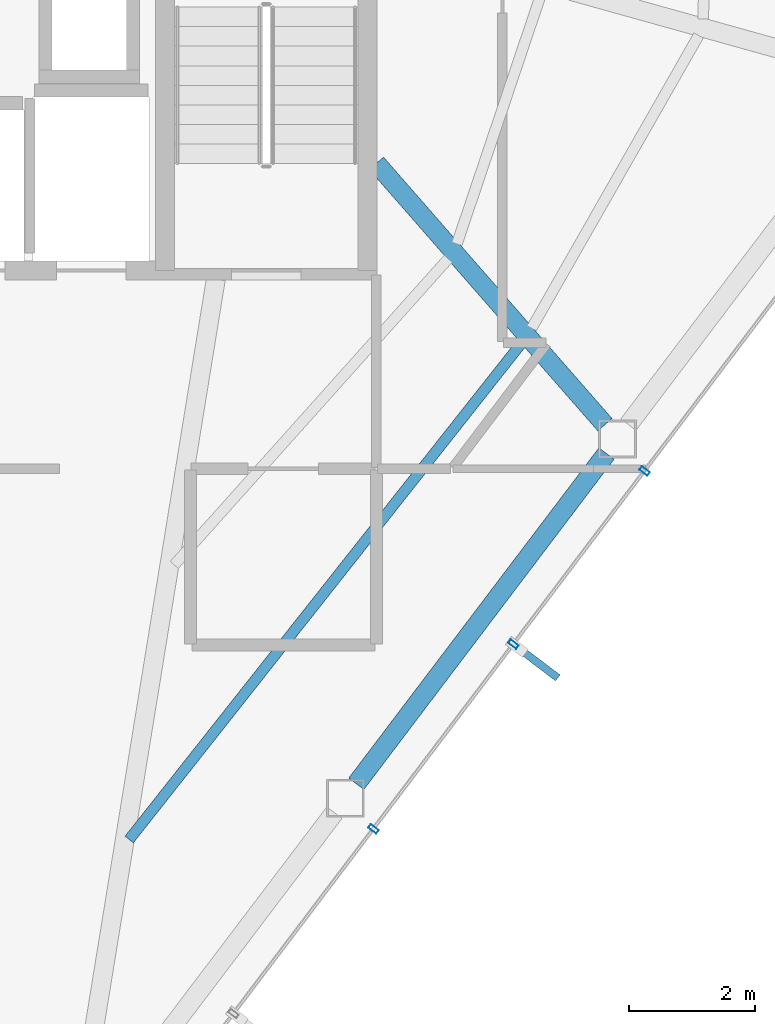
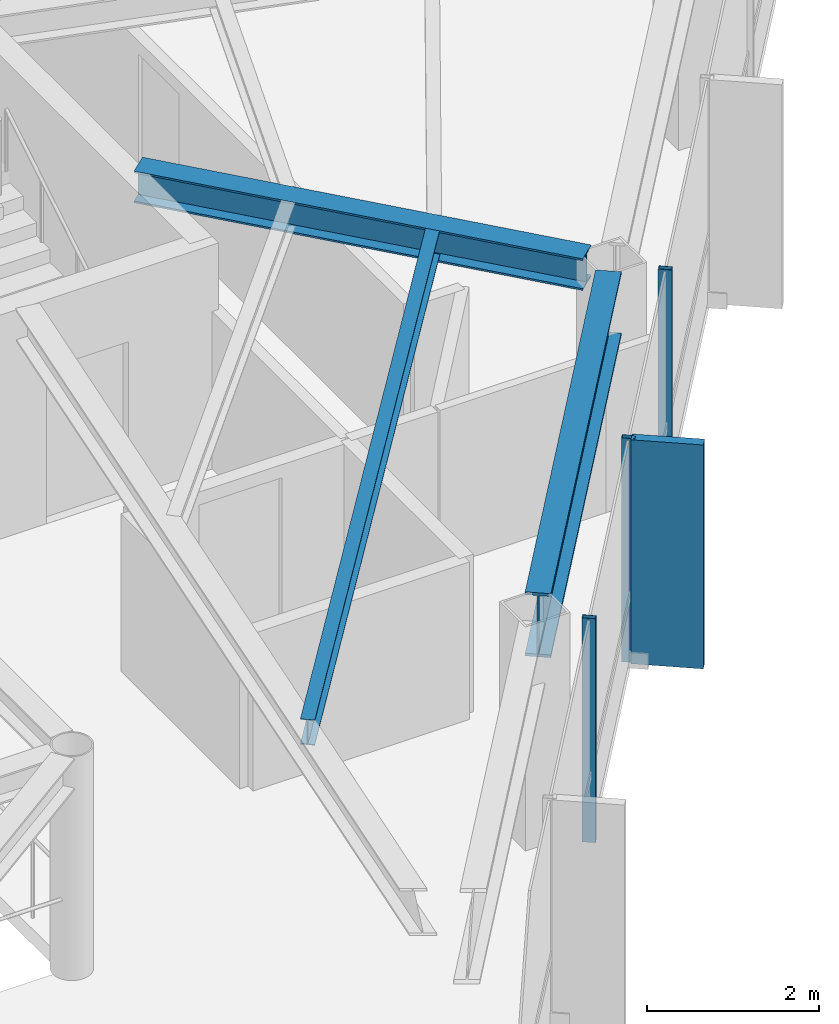
# One storey, part 15 of 25: 4 members, 3 beams, 1 element without a shape of its own.
"""IFC4 building model written with IfcOpenShell, lengths in metres."""

import ifcopenshell
import ifcopenshell.guid

model = None  # the IFC model being written
_history = None  # IfcOwnerHistory: only IFC2X3 demands one
_inside = {}  # id of a spatial element -> (the spatial element, [elements in it])
_under = {}  # id of a project, library or spatial element -> (it, [spatial elements below it])
_declared = {}  # id of a project -> (the project, [libraries it declares])
_typed = {}  # id of a type object -> (the type object, [elements of that type])
_made_of = {}  # id of a material, layer set ... -> (it, [elements and type objects made of it])


def new_model(schema):
    """Start an empty IFC model of exactly this schema.

    Asked for "IFC4X3", IfcOpenShell would pick the latest addendum, in which some entities
    have other attributes; the version numbers below select the first issue.
    IFC2X3 requires an IfcOwnerHistory on every rooted entity: one is made here for all.
    """
    global model, _history
    if schema == "IFC4X3":
        model = ifcopenshell.file(schema_version=(4, 3, 0, 0))
    else:
        model = ifcopenshell.file(schema=schema)
    _inside.clear()
    _under.clear()
    _declared.clear()
    _typed.clear()
    _made_of.clear()
    _history = None
    if model.schema == "IFC2X3":
        org = make("IfcOrganization", Name="unknown")
        user = make(
            "IfcPersonAndOrganization",
            ThePerson=make("IfcPerson", FamilyName="unknown"),
            TheOrganization=org,
        )
        app = make(
            "IfcApplication",
            ApplicationDeveloper=org,
            Version="unknown",
            ApplicationFullName="unknown",
            ApplicationIdentifier="unknown",
        )
        _history = make(
            "IfcOwnerHistory",
            OwningUser=user,
            OwningApplication=app,
            ChangeAction="ADDED",
            CreationDate=0,
        )
    return model


def make(cls, **values):
    """One entity of the class cls with the attributes given. An attribute that is None is left unset."""
    return model.create_entity(
        cls, **{name: value for name, value in values.items() if value is not None}
    )


def rooted(cls, **values):
    """An entity with a GlobalId (a new one), such as an element, a storey or a relation."""
    return make(cls, GlobalId=ifcopenshell.guid.new(), OwnerHistory=_history, **values)


def si_unit(unit_type, name, prefix=None):
    """IfcSIUnit, for example si_unit("LENGTHUNIT", "METRE", prefix="MILLI")."""
    return make("IfcSIUnit", UnitType=unit_type, Prefix=prefix, Name=name)


def assignment(units):
    """IfcUnitAssignment: the units of a project."""
    return None if units is None else make("IfcUnitAssignment", Units=units)


def point(xyz):
    """IfcCartesianPoint."""
    return None if xyz is None else make("IfcCartesianPoint", Coordinates=xyz)


def direction(xyz):
    """IfcDirection."""
    return None if xyz is None else make("IfcDirection", DirectionRatios=xyz)


def frame(location, z_axis=None, x_axis=None):
    """IfcAxis2Placement3D, a coordinate frame: its origin and axes. An axis left out is left unset."""
    return make(
        "IfcAxis2Placement3D",
        Location=point(location),
        Axis=direction(z_axis),
        RefDirection=direction(x_axis),
    )


def frame_2d(location, x_axis=None):
    """IfcAxis2Placement2D, a coordinate frame in the plane: its origin and x axis."""
    return make(
        "IfcAxis2Placement2D", Location=point(location), RefDirection=direction(x_axis)
    )


def origin():
    """The frame at (0, 0, 0) with its axes left unset."""
    return frame((0.0, 0.0, 0.0))


def origin_2d():
    """The frame at (0, 0) in the plane with its x axis left unset."""
    return frame_2d((0.0, 0.0))


def place(relative_to, where):
    """IfcLocalPlacement: puts the frame where relative to a parent placement (None: the world)."""
    return make(
        "IfcLocalPlacement", PlacementRelTo=relative_to, RelativePlacement=where
    )


def context(
    kind, dimensions, precision=None, world=None, true_north=None, identifier=None
):
    """IfcGeometricRepresentationContext, for example the 3D "Model" context."""
    return make(
        "IfcGeometricRepresentationContext",
        ContextIdentifier=identifier,
        ContextType=kind,
        CoordinateSpaceDimension=dimensions,
        Precision=precision,
        WorldCoordinateSystem=world,
        TrueNorth=true_north,
    )


def subcontext(parent, identifier, kind, view, scale=None):
    """IfcGeometricRepresentationSubContext, for example "Body" below "Model"."""
    return make(
        "IfcGeometricRepresentationSubContext",
        ContextIdentifier=identifier,
        ContextType=kind,
        ParentContext=parent,
        TargetScale=scale,
        TargetView=view,
    )


def project(units=None, contexts=None):
    """IfcProject with its units and contexts."""
    return rooted(
        "IfcProject",
        Name="project",
        RepresentationContexts=contexts,
        UnitsInContext=assignment(units),
    )


def spatial(cls, under=None, at=None, **own):
    """A site, building, storey or space (cls), placed at a placement, below another one or the project."""
    s = rooted(cls, ObjectPlacement=at, **own)
    if under is not None:
        _under.setdefault(under.id(), (under, []))[1].append(s)
    return s


def profile(cls, at=None, kind="AREA", **sizes):
    """A parametric profile (cls). Its sizes go by their IFC names, for example OverallWidth=200.0."""
    return make(cls, ProfileType=kind, Position=at, **sizes)


def rectangle(**sizes):
    """IfcRectangleProfileDef."""
    return profile("IfcRectangleProfileDef", **sizes)


def hollow_rectangle(**sizes):
    """IfcRectangleHollowProfileDef."""
    return profile("IfcRectangleHollowProfileDef", **sizes)


def i_section(**sizes):
    """IfcIShapeProfileDef."""
    return profile("IfcIShapeProfileDef", **sizes)


def extrude(swept, where, along, depth):
    """IfcExtrudedAreaSolid: the profile swept, set in the frame where, extruded along a direction by depth."""
    return make(
        "IfcExtrudedAreaSolid",
        SweptArea=swept,
        Position=where,
        ExtrudedDirection=direction(along),
        Depth=depth,
    )


def shape(context_of_items, identifier, shape_type, items):
    """IfcShapeRepresentation: the items that make up one representation, for example the "Body"."""
    return make(
        "IfcShapeRepresentation",
        ContextOfItems=context_of_items,
        RepresentationIdentifier=identifier,
        RepresentationType=shape_type,
        Items=items,
    )


def material(Name=None, Category=None):
    """IfcMaterial."""
    return make("IfcMaterial", Name=Name, Category=Category)


def layer(
    of_material, thickness, ventilated=None, Name=None, Category=None, Priority=None
):
    """IfcMaterialLayer: one layer of a wall or slab, of a material (None: an air gap)."""
    return make(
        "IfcMaterialLayer",
        Material=of_material,
        LayerThickness=thickness,
        IsVentilated=ventilated,
        Name=Name,
        Category=Category,
        Priority=Priority,
    )


def layer_set(layers, Name=None):
    """IfcMaterialLayerSet."""
    return make("IfcMaterialLayerSet", MaterialLayers=layers, LayerSetName=Name)


def material_profile(
    of_material, cross_section, Name=None, Category=None, Priority=None
):
    """IfcMaterialProfile: a cross section and its material."""
    return make(
        "IfcMaterialProfile",
        Name=Name,
        Material=of_material,
        Profile=cross_section,
        Priority=Priority,
        Category=Category,
    )


def profile_set(profiles, Name=None, composite=None):
    """IfcMaterialProfileSet."""
    return make(
        "IfcMaterialProfileSet",
        Name=Name,
        MaterialProfiles=profiles,
        CompositeProfile=composite,
    )


def made_of(thing, what):
    """Note that an element or type object is made of a material, layer set ...; save() writes the relation."""
    if what is not None:
        _made_of.setdefault(what.id(), (what, []))[1].append(thing)
    return thing


def type_object(cls, material=None, **own):
    """A type object (cls), such as IfcWallType, which elements share."""
    return made_of(rooted(cls, **own), material)


def element(
    cls,
    number,
    at=None,
    inside=None,
    cuts=None,
    type_object=None,
    material=None,
    context=None,
    identifier="Body",
    shape_type=None,
    held_by="IfcProductDefinitionShape",
    body=None,
    shapes=None,
    **own,
):
    """One element of the class cls, such as IfcWall. Its Tag is "e" and its number.

    at: its placement. inside: the storey or other place that contains it. cuts: it is an
    opening in that element (IfcRelVoidsElement). A single representation is given by context,
    identifier, shape_type and body (its items); several are given by shapes. held_by: the class
    of the entity that holds the representations. save() writes the other relations.
    """
    e = rooted(cls, Tag="e%d" % number, ObjectPlacement=at, **own)
    if body is not None:
        shapes = [shape(context, identifier, shape_type, body)]
    if shapes is not None:
        e.Representation = make(held_by, Representations=shapes)
    if inside is not None:
        _inside.setdefault(inside.id(), (inside, []))[1].append(e)
    if cuts is not None:
        rooted(
            "IfcRelVoidsElement", RelatingBuildingElement=cuts, RelatedOpeningElement=e
        )
    if type_object is not None:
        _typed.setdefault(type_object.id(), (type_object, []))[1].append(e)
    return made_of(e, material)


def aggregate(whole, parts):
    """IfcRelAggregates: a whole, such as a stair, and the parts it consists of."""
    return rooted("IfcRelAggregates", RelatingObject=whole, RelatedObjects=parts)


def save(model, path):
    """Write the relations noted so far, then the file.

    IfcRelAggregates (storeys below a building ...), IfcRelContainedInSpatialStructure (elements
    in a storey), IfcRelDefinesByType, IfcRelAssociatesMaterial and IfcRelDeclares: one each for
    every whole, place, type object, material and project.
    """
    for whole, parts in _under.values():
        aggregate(whole, parts)
    for where, things in _inside.values():
        rooted(
            "IfcRelContainedInSpatialStructure",
            RelatedElements=things,
            RelatingStructure=where,
        )
    for kind, things in _typed.values():
        rooted("IfcRelDefinesByType", RelatedObjects=things, RelatingType=kind)
    for what, things in _made_of.values():
        rooted("IfcRelAssociatesMaterial", RelatedObjects=things, RelatingMaterial=what)
    for by, libraries in _declared.values():
        rooted("IfcRelDeclares", RelatingContext=by, RelatedDefinitions=libraries)
    model.write(path)


model = new_model("IFC4")

# Units and contexts
model_context = context("Model", 3, precision=1e-05, world=origin(), true_north=direction((0.0, 1.0)))
body_context = subcontext(model_context, "Body", "Model", "MODEL_VIEW")
ifc_project = project(units=[si_unit("LENGTHUNIT", "METRE"), si_unit("AREAUNIT", "SQUARE_METRE"), si_unit("VOLUMEUNIT", "CUBIC_METRE"), si_unit("PLANEANGLEUNIT", "RADIAN"), si_unit("MASSUNIT", "GRAM", prefix="KILO")], contexts=[model_context])

# Site, building, storey
site_placement = place(None, origin())
site = spatial("IfcSite", under=ifc_project, at=site_placement, CompositionType="ELEMENT")
building_placement = place(site_placement, origin())
building = spatial("IfcBuilding", under=site, at=building_placement, Name="Zarrinselat Tower", CompositionType="ELEMENT")
storey_placement = place(building_placement, frame((0.0, 0.0, 242.760009765625)))
storey = spatial("IfcBuildingStorey", under=building, at=storey_placement, Name="L61", CompositionType="ELEMENT", Elevation=242.760009765625)

# Beams
ifc_material_1 = material(Name="Steel S355J2", Category="steel")
ifc_material_profile_1 = material_profile(ifc_material_1, i_section(OverallWidth=0.300048828125, OverallDepth=0.449951171875, WebThickness=0.013916015625, FlangeThickness=0.02587890625, at=origin_2d()), Name="HEB 450")
ifc_profile_set_1 = profile_set([ifc_material_profile_1], Name="Steel S355J2")
beam_type_1 = type_object("IfcBeamType", Name="BM-HEB450", PredefinedType="BEAM", material=ifc_profile_set_1)
beam_1_placement = place(storey_placement, frame((48.35009765625, 35.0, 2.955078125), z_axis=(0.658234979936, -0.752812533894, 0.0), x_axis=(0.752812533894, 0.658234979936, 0.0)))
element("IfcBeam", 1, at=beam_1_placement, inside=storey, type_object=beam_type_1, Name="L61 Radial Primary Girder RG13", PredefinedType="BEAM", context=body_context, shape_type="SweptSolid", body=[
    extrude(i_section(OverallWidth=0.300048828125, OverallDepth=0.449951171875, WebThickness=0.013916015625, FlangeThickness=0.02587890625, at=origin_2d()), origin(), (0.0, 0.0, 1.0), 5.513916015625),
])
ifc_material_2 = material(Name="Steel S460M", Category="steel")
ifc_material_profile_2 = material_profile(ifc_material_2, i_section(OverallWidth=0.302001953125, OverallDepth=0.909912109375, WebThickness=0.02099609375, FlangeThickness=0.0400390625, at=origin_2d()), Name="HEM 900")
ifc_profile_set_2 = profile_set([ifc_material_profile_2], Name="Steel S460M")
beam_type_2 = type_object("IfcBeamType", Name="BM-HEM900", PredefinedType="BEAM", material=ifc_profile_set_2)
beam_2_placement = place(storey_placement, frame((48.03076171875, 25.146728515625, 2.72509765625), z_axis=(0.603845544807, 0.797101347394, 0.0), x_axis=(-0.797101347394, 0.603845544807, 0.0)))
element("IfcBeam", 2, at=beam_2_placement, inside=storey, type_object=beam_type_2, Name="L61 Perimeter Spandrel Girder SP12", PredefinedType="BEAM", context=body_context, shape_type="SweptSolid", body=[
    extrude(i_section(OverallWidth=0.302001953125, OverallDepth=0.909912109375, WebThickness=0.02099609375, FlangeThickness=0.0400390625, at=origin_2d()), origin(), (0.0, 0.0, 1.0), 6.58056640625),
])
ifc_material_3 = material(Name="Steel S355J2", Category="steel")
ifc_material_profile_3 = material_profile(ifc_material_3, i_section(OverallWidth=0.169921875, OverallDepth=0.360107421875, WebThickness=0.008056640625, FlangeThickness=0.0126953125, at=origin_2d()), Name="IPE 360")
ifc_profile_set_3 = profile_set([ifc_material_profile_3], Name="Steel S355J2")
beam_type_3 = type_object("IfcBeamType", Name="BM-IPE360", PredefinedType="JOIST", material=ifc_profile_set_3)
beam_3_placement = place(storey_placement, frame((44.424072265625, 24.261474609375, 3.0), z_axis=(0.620044127495, 0.784566937845, 0.0), x_axis=(-0.784566937845, 0.620044127495, 0.0)))
element("IfcBeam", 3, at=beam_3_placement, inside=storey, type_object=beam_type_3, Name="L61 Composite Floor Joist 3-1", PredefinedType="JOIST", context=body_context, shape_type="SweptSolid", body=[
    extrude(i_section(OverallWidth=0.169921875, OverallDepth=0.360107421875, WebThickness=0.008056640625, FlangeThickness=0.0126953125, at=origin_2d()), origin(), (0.0, 0.0, 1.0), 10.05517578125),
])

# Curtain wall, members
ifc_material_4 = material(Name="Extruded Aluminium Alloy EN AW-6063 T6", Category="aluminium")
ifc_layer = layer(ifc_material_4, 0.169921875)
ifc_layer_set = layer_set([ifc_layer], Name="Extruded Aluminium Alloy EN AW-6063 T6")
curtain_wall_type = type_object("IfcCurtainWallType", Name="CWS-RES", PredefinedType="NOTDEFINED", material=ifc_layer_set)
curtain_wall_placement = place(storey_placement, origin())
curtain_wall = element("IfcCurtainWall", 4, at=curtain_wall_placement, inside=storey, type_object=curtain_wall_type, Name="L61 Unitised Curtain Wall CW-L61-E05", PredefinedType="NOTDEFINED")
ifc_material_5 = material(Name="Extruded Aluminium Alloy EN AW-6063 T6", Category="aluminium")
ifc_material_profile_4 = material_profile(ifc_material_5, hollow_rectangle(XDim=0.070068359375, YDim=0.159912109375, WallThickness=0.00390625, at=origin_2d()), Name="RHS 160x70x4")
ifc_profile_set_4 = profile_set([ifc_material_profile_4], Name="Extruded Aluminium Alloy EN AW-6063 T6")
member_type_1 = type_object("IfcMemberType", Name="MEM-CW-MUL2", PredefinedType="MULLION", material=ifc_profile_set_4)
member_1_placement = place(storey_placement, frame((48.302978515625, 24.4296875, 0.0), z_axis=(0.0, 0.0, 1.0), x_axis=(0.603858472709, 0.797091553674, 0.0)))
member_1 = element("IfcMember", 5, at=member_1_placement, type_object=member_type_1, Name="CW-L61-E05 Mullion 2", PredefinedType="MULLION", context=body_context, shape_type="SweptSolid", body=[
    extrude(hollow_rectangle(XDim=0.070068359375, YDim=0.159912109375, WallThickness=0.00390625, at=origin_2d()), origin(), (0.0, 0.0, 1.0), 3.179931640625),
])
member_2_placement = place(storey_placement, frame((50.525390625, 27.36328125, 0.0), z_axis=(0.0, 0.0, 1.0), x_axis=(0.603858472709, 0.797091553674, 0.0)))
member_2 = element("IfcMember", 6, at=member_2_placement, type_object=member_type_1, Name="CW-L61-E05 Mullion 3", PredefinedType="MULLION", context=body_context, shape_type="SweptSolid", body=[
    extrude(hollow_rectangle(XDim=0.070068359375, YDim=0.159912109375, WallThickness=0.00390625, at=origin_2d()), origin(), (0.0, 0.0, 1.0), 3.179931640625),
])
member_3_placement = place(storey_placement, frame((52.60888671875, 30.11376953125, 0.0), z_axis=(0.0, 0.0, 1.0), x_axis=(0.603858472709, 0.797091553674, 0.0)))
member_3 = element("IfcMember", 7, at=member_3_placement, type_object=member_type_1, Name="CW-L61-E05 Mullion 4", PredefinedType="MULLION", context=body_context, shape_type="SweptSolid", body=[
    extrude(hollow_rectangle(XDim=0.070068359375, YDim=0.159912109375, WallThickness=0.00390625, at=origin_2d()), origin(), (0.0, 0.0, 1.0), 3.179931640625),
])
ifc_material_6 = material(Name="Honed Cream Travertine Stone", Category="masonry")
ifc_material_profile_5 = material_profile(ifc_material_6, rectangle(XDim=0.1201171875, YDim=0.85009765625, at=origin_2d()), Name="FIN 850x120")
ifc_profile_set_5 = profile_set([ifc_material_profile_5], Name="Honed Cream Travertine Stone")
member_type_2 = type_object("IfcMemberType", Name="MEM-STONE-FIN", PredefinedType="USERDEFINED", material=ifc_profile_set_5)
member_4_placement = place(storey_placement, frame((50.89208984375, 27.08544921875, 0.0), z_axis=(0.0, 0.0, 1.0), x_axis=(-0.603858472709, -0.797091553674, 0.0)))
member_4 = element("IfcMember", 8, at=member_4_placement, type_object=member_type_2, Name="L61 Stone Shading Fin CW-L61-E05-03", ObjectType="FIN", PredefinedType="USERDEFINED", context=body_context, shape_type="SweptSolid", body=[
    extrude(rectangle(XDim=0.1201171875, YDim=0.85009765625, at=origin_2d()), origin(), (0.0, 0.0, 1.0), 3.179931640625),
])
aggregate(curtain_wall, [member_1, member_2, member_4, member_3])

save(model, "model.ifc")
